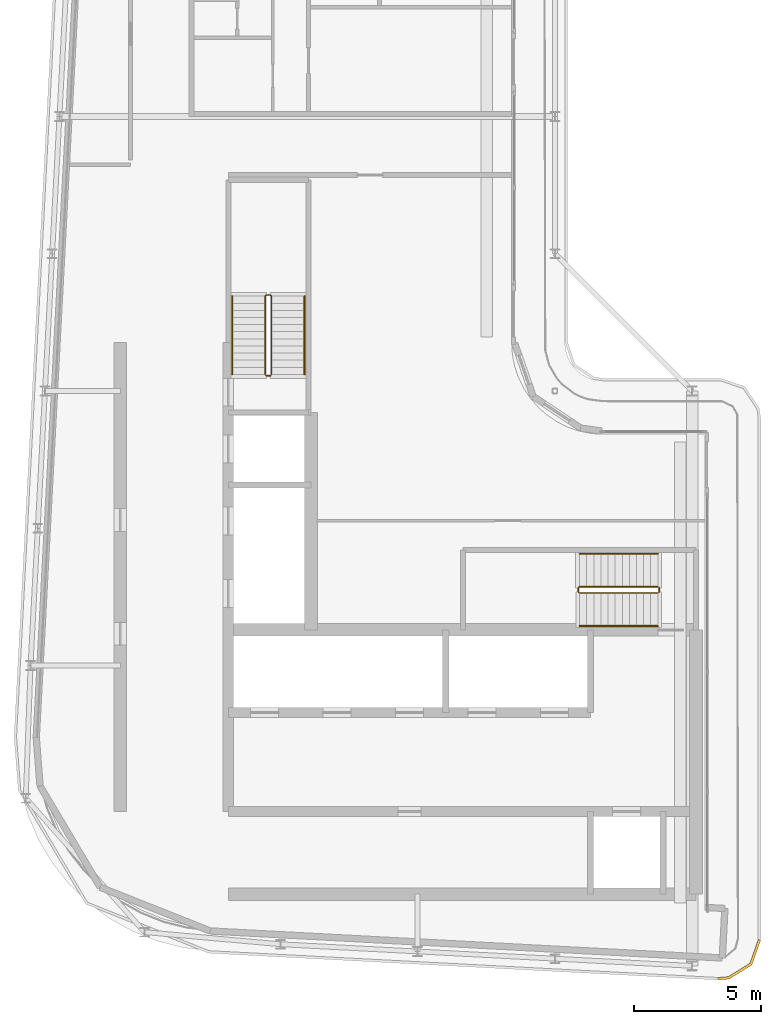
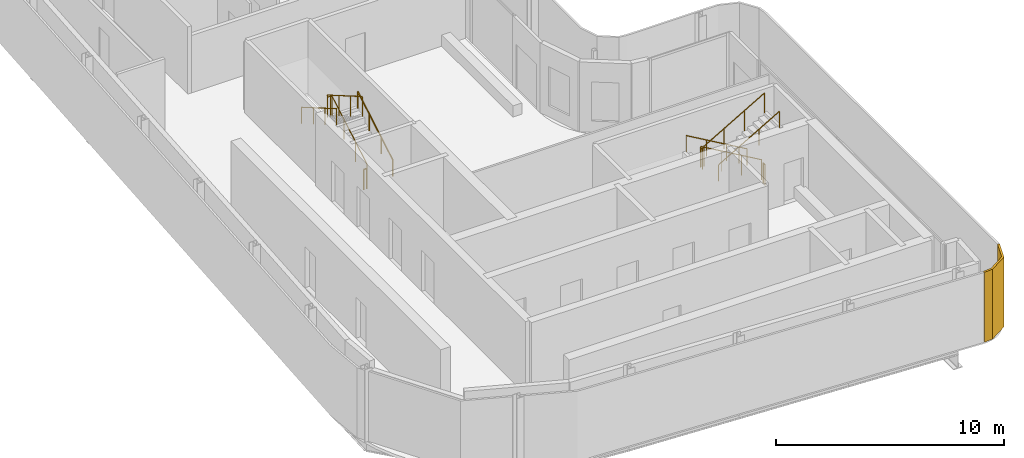
# One storey, part 13 of 17: 8 railings, 1 shading device.
"""IFC4 building model written with IfcOpenShell, lengths in metres."""

from ifc_helpers import new_model, si_unit, direction, frame, origin, origin_2d, place, context, subcontext, project, spatial, polyline, circle, outline, extrude, material, layer, layer_set, type_object, element, save


model = new_model("IFC4")

# Units and contexts
model_context = context("Model", 3, precision=1e-05, world=origin(), true_north=direction((0.0, 1.0)))
body_context = subcontext(model_context, "Body", "Model", "MODEL_VIEW")
ifc_project = project(units=[si_unit("LENGTHUNIT", "METRE"), si_unit("AREAUNIT", "SQUARE_METRE"), si_unit("VOLUMEUNIT", "CUBIC_METRE"), si_unit("PLANEANGLEUNIT", "RADIAN"), si_unit("MASSUNIT", "GRAM", prefix="KILO")], contexts=[model_context])

# Site, building, storey
site_placement = place(None, origin())
site = spatial("IfcSite", under=ifc_project, at=site_placement, CompositionType="ELEMENT")
building_placement = place(site_placement, origin())
building = spatial("IfcBuilding", under=site, at=building_placement, Name="Kheshtan School and Residences Tower", CompositionType="ELEMENT")
storey_placement = place(building_placement, frame((0.0, 0.0, 346.10009765625)))
storey = spatial("IfcBuildingStorey", under=building, at=storey_placement, Name="L81", CompositionType="ELEMENT", Elevation=346.10009765625)

# Shading device
ifc_material_1 = material(Name="Terracotta lattice, extruded ceramic", Category="masonry")
ifc_layer = layer(ifc_material_1, 0.10009765625)
ifc_layer_set = layer_set([ifc_layer], Name="Loggia screen, terracotta lattice")
shading_device_type = type_object("IfcShadingDeviceType", Name="Loggia screen, terracotta lattice", PredefinedType="USERDEFINED", material=ifc_layer_set)
shading_device_placement = place(storey_placement, origin())
element("IfcShadingDevice", 1, at=shading_device_placement, inside=storey, type_object=shading_device_type, Name="Corner screen L81 2", ObjectType="SCREEN", PredefinedType="USERDEFINED", context=body_context, shape_type="SweptSolid", body=[
    extrude(outline(polyline([(55.60009765625, 24.02294921875), (55.27001953125, 23.083984375), (54.424072265625, 22.55908203125), (54.02099609375, 22.52490234375), (54.029052734375, 22.425048828125), (54.4560546875, 22.4609375), (55.35302734375, 23.01806640625), (55.694091796875, 23.989990234375), (55.60009765625, 24.02294921875)])), origin(), (0.0, 0.0, 1.0), 3.75),
])

# Railings
ifc_material_2 = material(Name="Stainless steel balustrade", Category="steel")
railing_type_1 = type_object("IfcRailingType", Name="Stair guard 1100", PredefinedType="GUARDRAIL", material=ifc_material_2)
railing_1_placement = place(storey_placement, frame((51.64990234375, 37.89990234375, 0.162353515625)))
element("IfcRailing", 2, at=railing_1_placement, inside=storey, type_object=railing_type_1, Name="L81 ST1 stair guard 1", PredefinedType="GUARDRAIL", context=body_context, shape_type="SweptSolid", body=[
    extrude(circle(Radius=0.02392578125, at=origin_2d()), frame((0.0, 0.0, 1.076171875), z_axis=(-0.864873446163, 0.0, 0.501989962173), x_axis=(0.0, -1.0, 0.0)), (0.0, 0.0, 1.0), 3.56103515625),
    extrude(circle(Radius=0.02392578125, at=origin_2d()), frame((-3.079833984375, 0.0, 2.86376953125), z_axis=(-0.708833529934, -0.705375805398, 0.0), x_axis=(0.705375805398, -0.708833529934, 0.0)), (0.0, 0.0, 1.0), 0.070556640625),
    extrude(circle(Radius=0.02392578125, at=origin_2d()), frame((-3.1298828125, -0.0498046875, 2.86376953125), z_axis=(0.0, -1.0, 0.0), x_axis=(1.0, 0.0, 0.0)), (0.0, 0.0, 1.0), 0.150146484375),
    extrude(circle(Radius=0.02392578125, at=origin_2d()), frame((-3.1298828125, -0.199951171875, 2.86376953125), z_axis=(0.282583949758, -0.282583949758, 0.916674763849), x_axis=(0.707106781187, 0.707106781187, 0.0)), (0.0, 0.0, 1.0), 0.177001953125),
    extrude(circle(Radius=0.02392578125, at=origin_2d()), frame((-3.079833984375, -0.25, 3.02587890625), z_axis=(0.864873446163, 0.0, 0.501989962173), x_axis=(0.0, 1.0, 0.0)), (0.0, 0.0, 1.0), 3.56103515625),
    extrude(circle(Radius=0.02099609375, at=origin_2d()), origin(), (0.0, 0.0, 1.0), 1.052001953125),
    extrude(circle(Radius=0.02099609375, at=origin_2d()), frame((-1.026611328125, 0.0, 0.595947265625)), (0.0, 0.0, 1.0), 1.052001953125),
    extrude(circle(Radius=0.02099609375, at=origin_2d()), frame((-2.05322265625, 0.0, 1.191650390625)), (0.0, 0.0, 1.0), 1.052001953125),
    extrude(circle(Radius=0.02099609375, at=origin_2d()), frame((-3.079833984375, 0.0, 1.78759765625)), (0.0, 0.0, 1.0), 1.052001953125),
    extrude(circle(Radius=0.02099609375, at=origin_2d()), frame((-3.1298828125, -0.0498046875, 1.78759765625)), (0.0, 0.0, 1.0), 1.052001953125),
    extrude(circle(Radius=0.02099609375, at=origin_2d()), frame((-3.1298828125, -0.199951171875, 1.78759765625)), (0.0, 0.0, 1.0), 1.052001953125),
    extrude(circle(Radius=0.02099609375, at=origin_2d()), frame((-3.079833984375, -0.25, 1.949951171875)), (0.0, 0.0, 1.0), 1.052001953125),
    extrude(circle(Radius=0.02099609375, at=origin_2d()), frame((-2.05322265625, -0.25, 2.5458984375)), (0.0, 0.0, 1.0), 1.052001953125),
    extrude(circle(Radius=0.02099609375, at=origin_2d()), frame((-1.026611328125, -0.25, 3.1416015625)), (0.0, 0.0, 1.0), 1.052001953125),
    extrude(circle(Radius=0.02099609375, at=origin_2d()), frame((0.0, -0.25, 3.737548828125)), (0.0, 0.0, 1.0), 1.052001953125),
])
railing_2_placement = place(storey_placement, frame((51.699951171875, 37.85009765625, 0.0)))
element("IfcRailing", 3, at=railing_2_placement, inside=storey, type_object=railing_type_1, Name="L81 ST1 stair guard 2", PredefinedType="GUARDRAIL", context=body_context, shape_type="SweptSolid", body=[
    extrude(circle(Radius=0.02392578125, at=origin_2d()), frame((0.0, 0.0, 1.076171875), z_axis=(0.0, -1.0, 0.0), x_axis=(1.0, 0.0, 0.0)), (0.0, 0.0, 1.0), 0.150146484375),
    extrude(circle(Radius=0.02099609375, at=origin_2d()), origin(), (0.0, 0.0, 1.0), 1.052001953125),
    extrude(circle(Radius=0.02099609375, at=origin_2d()), frame((0.0, -0.150146484375, 0.0)), (0.0, 0.0, 1.0), 1.052001953125),
])
railing_3_placement = place(storey_placement, frame((36.449951171875, 46.25, 0.162353515625)))
element("IfcRailing", 4, at=railing_3_placement, inside=storey, type_object=railing_type_1, Name="L81 ST2 stair guard 1", PredefinedType="GUARDRAIL", context=body_context, shape_type="SweptSolid", body=[
    extrude(circle(Radius=0.02392578125, at=origin_2d()), frame((0.0, 0.0, 1.076171875), z_axis=(0.0, 0.864890721111, 0.501960198159), x_axis=(-1.0, 0.0, 0.0)), (0.0, 0.0, 1.0), 3.561279296875),
    extrude(circle(Radius=0.02392578125, at=origin_2d()), frame((0.0, 3.080078125, 2.86376953125), z_axis=(-0.708833529934, 0.705375805398, 0.0), x_axis=(-0.705375805398, -0.708833529934, 0.0)), (0.0, 0.0, 1.0), 0.070556640625),
    extrude(circle(Radius=0.02392578125, at=origin_2d()), frame((-0.050048828125, 3.1298828125, 2.86376953125), z_axis=(-1.0, 0.0, 0.0), x_axis=(0.0, -1.0, 0.0)), (0.0, 0.0, 1.0), 0.14990234375),
    extrude(circle(Radius=0.02392578125, at=origin_2d()), frame((-0.199951171875, 3.1298828125, 2.86376953125), z_axis=(-0.282693820306, -0.281314826061, 0.917031173188), x_axis=(0.705375805398, -0.708833529934, 0.0)), (0.0, 0.0, 1.0), 0.177001953125),
    extrude(circle(Radius=0.02392578125, at=origin_2d()), frame((-0.25, 3.080078125, 3.02587890625), z_axis=(0.0, -0.864890721111, 0.501960198159), x_axis=(1.0, 0.0, 0.0)), (0.0, 0.0, 1.0), 3.561279296875),
    extrude(circle(Radius=0.02099609375, at=origin_2d()), origin(), (0.0, 0.0, 1.0), 1.052001953125),
    extrude(circle(Radius=0.02099609375, at=origin_2d()), frame((0.0, 1.026611328125, 0.595947265625)), (0.0, 0.0, 1.0), 1.052001953125),
    extrude(circle(Radius=0.02099609375, at=origin_2d()), frame((0.0, 2.053466796875, 1.191650390625)), (0.0, 0.0, 1.0), 1.052001953125),
    extrude(circle(Radius=0.02099609375, at=origin_2d()), frame((0.0, 3.080078125, 1.78759765625)), (0.0, 0.0, 1.0), 1.052001953125),
    extrude(circle(Radius=0.02099609375, at=origin_2d()), frame((-0.050048828125, 3.1298828125, 1.78759765625)), (0.0, 0.0, 1.0), 1.052001953125),
    extrude(circle(Radius=0.02099609375, at=origin_2d()), frame((-0.199951171875, 3.1298828125, 1.78759765625)), (0.0, 0.0, 1.0), 1.052001953125),
    extrude(circle(Radius=0.02099609375, at=origin_2d()), frame((-0.25, 3.080078125, 1.949951171875)), (0.0, 0.0, 1.0), 1.052001953125),
    extrude(circle(Radius=0.02099609375, at=origin_2d()), frame((-0.25, 2.053466796875, 2.5458984375)), (0.0, 0.0, 1.0), 1.052001953125),
    extrude(circle(Radius=0.02099609375, at=origin_2d()), frame((-0.25, 1.026611328125, 3.1416015625)), (0.0, 0.0, 1.0), 1.052001953125),
    extrude(circle(Radius=0.02099609375, at=origin_2d()), frame((-0.25, 0.0, 3.737548828125)), (0.0, 0.0, 1.0), 1.052001953125),
])
railing_4_placement = place(storey_placement, frame((36.39990234375, 46.199951171875, 0.0)))
element("IfcRailing", 5, at=railing_4_placement, inside=storey, type_object=railing_type_1, Name="L81 ST2 stair guard 2", PredefinedType="GUARDRAIL", context=body_context, shape_type="SweptSolid", body=[
    extrude(circle(Radius=0.02392578125, at=origin_2d()), frame((0.0, 0.0, 1.076171875), z_axis=(-1.0, 0.0, 0.0), x_axis=(0.0, -1.0, 0.0)), (0.0, 0.0, 1.0), 0.14990234375),
    extrude(circle(Radius=0.02099609375, at=origin_2d()), origin(), (0.0, 0.0, 1.0), 1.052001953125),
    extrude(circle(Radius=0.02099609375, at=origin_2d()), frame((-0.14990234375, 0.0, 0.0)), (0.0, 0.0, 1.0), 1.052001953125),
])
ifc_material_3 = material(Name="Stainless steel handrail", Category="steel")
railing_type_2 = type_object("IfcRailingType", Name="Stair handrail 900", PredefinedType="HANDRAIL", material=ifc_material_3)
railing_5_placement = place(storey_placement, frame((51.64990234375, 39.199951171875, 0.162353515625)))
element("IfcRailing", 6, at=railing_5_placement, inside=storey, type_object=railing_type_2, Name="L81 ST1 stair handrail 1", PredefinedType="HANDRAIL", context=body_context, shape_type="SweptSolid", body=[
    extrude(circle(Radius=0.02392578125, at=origin_2d()), frame((0.0, 0.0, 0.8759765625), z_axis=(-0.864873446163, 0.0, 0.501989962173), x_axis=(0.0, -1.0, 0.0)), (0.0, 0.0, 1.0), 3.56103515625),
    extrude(circle(Radius=0.02099609375, at=origin_2d()), origin(), (0.0, 0.0, 1.0), 0.851806640625),
    extrude(circle(Radius=0.02099609375, at=origin_2d()), frame((-1.026611328125, 0.0, 0.595947265625)), (0.0, 0.0, 1.0), 0.851806640625),
    extrude(circle(Radius=0.02099609375, at=origin_2d()), frame((-2.05322265625, 0.0, 1.191650390625)), (0.0, 0.0, 1.0), 0.851806640625),
    extrude(circle(Radius=0.02099609375, at=origin_2d()), frame((-3.079833984375, 0.0, 1.78759765625)), (0.0, 0.0, 1.0), 0.851806640625),
])
railing_6_placement = place(storey_placement, frame((48.570068359375, 36.35009765625, 2.1123046875)))
element("IfcRailing", 7, at=railing_6_placement, inside=storey, type_object=railing_type_2, Name="L81 ST1 stair handrail 2", PredefinedType="HANDRAIL", context=body_context, shape_type="SweptSolid", body=[
    extrude(circle(Radius=0.02392578125, at=origin_2d()), frame((0.0, 0.0, 0.8759765625), z_axis=(0.864873446163, 0.0, 0.501989962173), x_axis=(0.0, 1.0, 0.0)), (0.0, 0.0, 1.0), 3.56103515625),
    extrude(circle(Radius=0.02099609375, at=origin_2d()), origin(), (0.0, 0.0, 1.0), 0.851806640625),
    extrude(circle(Radius=0.02099609375, at=origin_2d()), frame((1.026611328125, 0.0, 0.595947265625)), (0.0, 0.0, 1.0), 0.851806640625),
    extrude(circle(Radius=0.02099609375, at=origin_2d()), frame((2.05322265625, 0.0, 1.191650390625)), (0.0, 0.0, 1.0), 0.851806640625),
    extrude(circle(Radius=0.02099609375, at=origin_2d()), frame((3.079833984375, 0.0, 1.78759765625)), (0.0, 0.0, 1.0), 0.851806640625),
])
railing_7_placement = place(storey_placement, frame((37.75, 46.25, 0.162353515625)))
element("IfcRailing", 8, at=railing_7_placement, inside=storey, type_object=railing_type_2, Name="L81 ST2 stair handrail 1", PredefinedType="HANDRAIL", context=body_context, shape_type="SweptSolid", body=[
    extrude(circle(Radius=0.02392578125, at=origin_2d()), frame((0.0, 0.0, 0.8759765625), z_axis=(0.0, 0.864890721111, 0.501960198159), x_axis=(-1.0, 0.0, 0.0)), (0.0, 0.0, 1.0), 3.561279296875),
    extrude(circle(Radius=0.02099609375, at=origin_2d()), origin(), (0.0, 0.0, 1.0), 0.851806640625),
    extrude(circle(Radius=0.02099609375, at=origin_2d()), frame((0.0, 1.026611328125, 0.595947265625)), (0.0, 0.0, 1.0), 0.851806640625),
    extrude(circle(Radius=0.02099609375, at=origin_2d()), frame((0.0, 2.053466796875, 1.191650390625)), (0.0, 0.0, 1.0), 0.851806640625),
    extrude(circle(Radius=0.02099609375, at=origin_2d()), frame((0.0, 3.080078125, 1.78759765625)), (0.0, 0.0, 1.0), 0.851806640625),
])
railing_8_placement = place(storey_placement, frame((34.89990234375, 49.330078125, 2.1123046875)))
element("IfcRailing", 9, at=railing_8_placement, inside=storey, type_object=railing_type_2, Name="L81 ST2 stair handrail 2", PredefinedType="HANDRAIL", context=body_context, shape_type="SweptSolid", body=[
    extrude(circle(Radius=0.02392578125, at=origin_2d()), frame((0.0, 0.0, 0.8759765625), z_axis=(0.0, -0.864890721111, 0.501960198159), x_axis=(1.0, 0.0, 0.0)), (0.0, 0.0, 1.0), 3.561279296875),
    extrude(circle(Radius=0.02099609375, at=origin_2d()), origin(), (0.0, 0.0, 1.0), 0.851806640625),
    extrude(circle(Radius=0.02099609375, at=origin_2d()), frame((0.0, -1.026611328125, 0.595947265625)), (0.0, 0.0, 1.0), 0.851806640625),
    extrude(circle(Radius=0.02099609375, at=origin_2d()), frame((0.0, -2.053466796875, 1.191650390625)), (0.0, 0.0, 1.0), 0.851806640625),
    extrude(circle(Radius=0.02099609375, at=origin_2d()), frame((0.0, -3.080078125, 1.78759765625)), (0.0, 0.0, 1.0), 0.851806640625),
])

save(model, "model.ifc")
